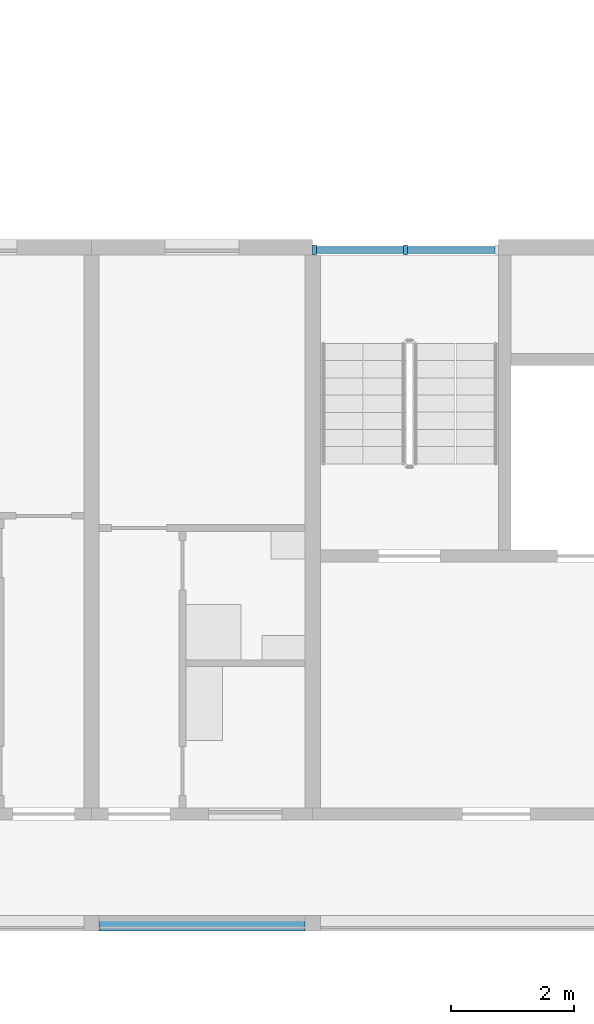
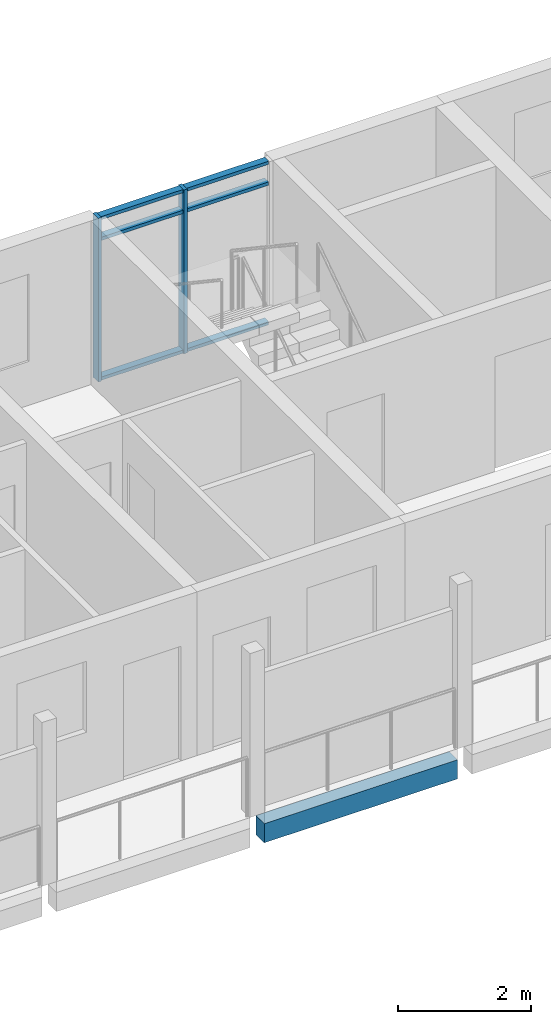
# One storey, part 7 of 100: 8 members, 1 beam, 1 element without a shape of its own.
"""IFC4 building model written with IfcOpenShell, lengths in metres."""

from ifc_helpers import new_model, si_unit, direction, frame, origin, origin_2d, place, context, subcontext, project, spatial, rectangle, extrude, material, material_profile, profile_set, type_object, element, aggregate, save


model = new_model("IFC4")

# Units and contexts
model_context = context("Model", 3, precision=1e-05, world=origin(), true_north=direction((0.0, 1.0)))
body_context = subcontext(model_context, "Body", "Model", "MODEL_VIEW")
ifc_project = project(units=[si_unit("LENGTHUNIT", "METRE"), si_unit("AREAUNIT", "SQUARE_METRE"), si_unit("VOLUMEUNIT", "CUBIC_METRE"), si_unit("PLANEANGLEUNIT", "RADIAN"), si_unit("MASSUNIT", "GRAM", prefix="KILO")], contexts=[model_context])

# Site, building, storey
site_placement = place(None, origin())
site = spatial("IfcSite", under=ifc_project, at=site_placement, CompositionType="ELEMENT")
building_placement = place(site_placement, origin())
building = spatial("IfcBuilding", under=site, at=building_placement, Name="Ridgestep Commons", CompositionType="ELEMENT")
storey_placement = place(building_placement, frame((0.0, 0.0, 9.0)))
storey = spatial("IfcBuildingStorey", under=building, at=storey_placement, Name="L03", CompositionType="ELEMENT", Elevation=9.0)

# Beam
ifc_material_1 = material(Name="Precast concrete C40/50", Category="concrete")
ifc_material_profile_1 = material_profile(ifc_material_1, rectangle(XDim=0.25, YDim=0.35009765625, at=origin_2d()), Name="PC 250x350")
ifc_profile_set_1 = profile_set([ifc_material_profile_1], Name="Precast concrete C40/50")
beam_type = type_object("IfcBeamType", Name="Loggia edge beam 250 x 350", PredefinedType="SPANDREL", material=ifc_profile_set_1)
beam_placement = place(storey_placement, frame((69.72509765625, 11.875, -0.375), z_axis=(1.0, 0.0, 0.0), x_axis=(0.0, 1.0, 0.0)))
element("IfcBeam", 1, at=beam_placement, inside=storey, type_object=beam_type, Name="Loggia edge beam A4T3 L03", PredefinedType="SPANDREL", context=body_context, shape_type="SweptSolid", body=[
    extrude(rectangle(XDim=0.25, YDim=0.35009765625, at=origin_2d()), origin(), (0.0, 0.0, 1.0), 3.349853515625),
])

# Curtain wall, members
ifc_material_2 = material(Name="Aluminium 6063-T6 and glass", Category="aluminium")
curtain_wall_type = type_object("IfcCurtainWallType", Name="Curtain wall stair strip", PredefinedType="NOTDEFINED", material=ifc_material_2)
curtain_wall_placement = place(storey_placement, origin())
curtain_wall = element("IfcCurtainWall", 2, at=curtain_wall_placement, inside=storey, type_object=curtain_wall_type, Name="Curtain wall A4C level 03", PredefinedType="NOTDEFINED")
ifc_material_3 = material(Name="Aluminium 6063-T6", Category="aluminium")
ifc_material_profile_2 = material_profile(ifc_material_3, rectangle(XDim=0.159912109375, YDim=0.06005859375, at=origin_2d()), Name="Mullion 60 x 160")
ifc_profile_set_2 = profile_set([ifc_material_profile_2], Name="Aluminium 6063-T6")
member_type_1 = type_object("IfcMemberType", Name="Mullion 60 x 160", PredefinedType="MULLION", material=ifc_profile_set_2)
member_1_placement = place(storey_placement, frame((73.22998046875, 22.830078125, 0.0), z_axis=(0.0, 0.0, 1.0), x_axis=(0.0, 1.0, 0.0)))
member_1 = element("IfcMember", 3, at=member_1_placement, type_object=member_type_1, Name="CW1 mullion 1", PredefinedType="MULLION", context=body_context, shape_type="SweptSolid", body=[
    extrude(rectangle(XDim=0.159912109375, YDim=0.06005859375, at=origin_2d()), origin(), (0.0, 0.0, 1.0), 3.0),
])
member_2_placement = place(storey_placement, frame((74.71240234375, 22.830078125, 0.0), z_axis=(0.0, 0.0, 1.0), x_axis=(0.0, 1.0, 0.0)))
member_2 = element("IfcMember", 4, at=member_2_placement, type_object=member_type_1, Name="CW1 mullion 2", PredefinedType="MULLION", context=body_context, shape_type="SweptSolid", body=[
    extrude(rectangle(XDim=0.159912109375, YDim=0.06005859375, at=origin_2d()), origin(), (0.0, 0.0, 1.0), 3.0),
])
ifc_material_4 = material(Name="Aluminium 6063-T6", Category="aluminium")
ifc_material_profile_3 = material_profile(ifc_material_4, rectangle(XDim=0.1201171875, YDim=0.06005859375, at=origin_2d()), Name="Transom 60 x 120")
ifc_profile_set_3 = profile_set([ifc_material_profile_3], Name="Aluminium 6063-T6")
member_type_2 = type_object("IfcMemberType", Name="Transom 60 x 120", PredefinedType="USERDEFINED", material=ifc_profile_set_3)
member_3_placement = place(storey_placement, frame((73.260009765625, 22.830078125, 0.030029296875), z_axis=(1.0, 0.0, 0.0), x_axis=(0.0, 1.0, 0.0)))
member_3 = element("IfcMember", 5, at=member_3_placement, type_object=member_type_2, Name="CW1 transom 1.1", ObjectType="TRANSOM", PredefinedType="USERDEFINED", context=body_context, shape_type="SweptSolid", body=[
    extrude(rectangle(XDim=0.1201171875, YDim=0.06005859375, at=origin_2d()), origin(), (0.0, 0.0, 1.0), 1.422607421875),
])
member_4_placement = place(storey_placement, frame((73.260009765625, 22.830078125, 2.590087890625), z_axis=(1.0, 0.0, 0.0), x_axis=(0.0, 1.0, 0.0)))
member_4 = element("IfcMember", 6, at=member_4_placement, type_object=member_type_2, Name="CW1 transom 1.2", ObjectType="TRANSOM", PredefinedType="USERDEFINED", context=body_context, shape_type="SweptSolid", body=[
    extrude(rectangle(XDim=0.1201171875, YDim=0.06005859375, at=origin_2d()), origin(), (0.0, 0.0, 1.0), 1.422607421875),
])
member_5_placement = place(storey_placement, frame((73.260009765625, 22.830078125, 2.969970703125), z_axis=(1.0, 0.0, 0.0), x_axis=(0.0, 1.0, 0.0)))
member_5 = element("IfcMember", 7, at=member_5_placement, type_object=member_type_2, Name="CW1 transom 1.3", ObjectType="TRANSOM", PredefinedType="USERDEFINED", context=body_context, shape_type="SweptSolid", body=[
    extrude(rectangle(XDim=0.1201171875, YDim=0.06005859375, at=origin_2d()), origin(), (0.0, 0.0, 1.0), 1.422607421875),
])
member_6_placement = place(storey_placement, frame((74.742431640625, 22.830078125, 0.030029296875), z_axis=(1.0, 0.0, 0.0), x_axis=(0.0, 1.0, 0.0)))
member_6 = element("IfcMember", 8, at=member_6_placement, type_object=member_type_2, Name="CW1 transom 2.1", ObjectType="TRANSOM", PredefinedType="USERDEFINED", context=body_context, shape_type="SweptSolid", body=[
    extrude(rectangle(XDim=0.1201171875, YDim=0.06005859375, at=origin_2d()), origin(), (0.0, 0.0, 1.0), 1.422607421875),
])
member_7_placement = place(storey_placement, frame((74.742431640625, 22.830078125, 2.590087890625), z_axis=(1.0, 0.0, 0.0), x_axis=(0.0, 1.0, 0.0)))
member_7 = element("IfcMember", 9, at=member_7_placement, type_object=member_type_2, Name="CW1 transom 2.2", ObjectType="TRANSOM", PredefinedType="USERDEFINED", context=body_context, shape_type="SweptSolid", body=[
    extrude(rectangle(XDim=0.1201171875, YDim=0.06005859375, at=origin_2d()), origin(), (0.0, 0.0, 1.0), 1.422607421875),
])
member_8_placement = place(storey_placement, frame((74.742431640625, 22.830078125, 2.969970703125), z_axis=(1.0, 0.0, 0.0), x_axis=(0.0, 1.0, 0.0)))
member_8 = element("IfcMember", 10, at=member_8_placement, type_object=member_type_2, Name="CW1 transom 2.3", ObjectType="TRANSOM", PredefinedType="USERDEFINED", context=body_context, shape_type="SweptSolid", body=[
    extrude(rectangle(XDim=0.1201171875, YDim=0.06005859375, at=origin_2d()), origin(), (0.0, 0.0, 1.0), 1.422607421875),
])
aggregate(curtain_wall, [member_1, member_2, member_3, member_4, member_5, member_6, member_7, member_8])

save(model, "model.ifc")
